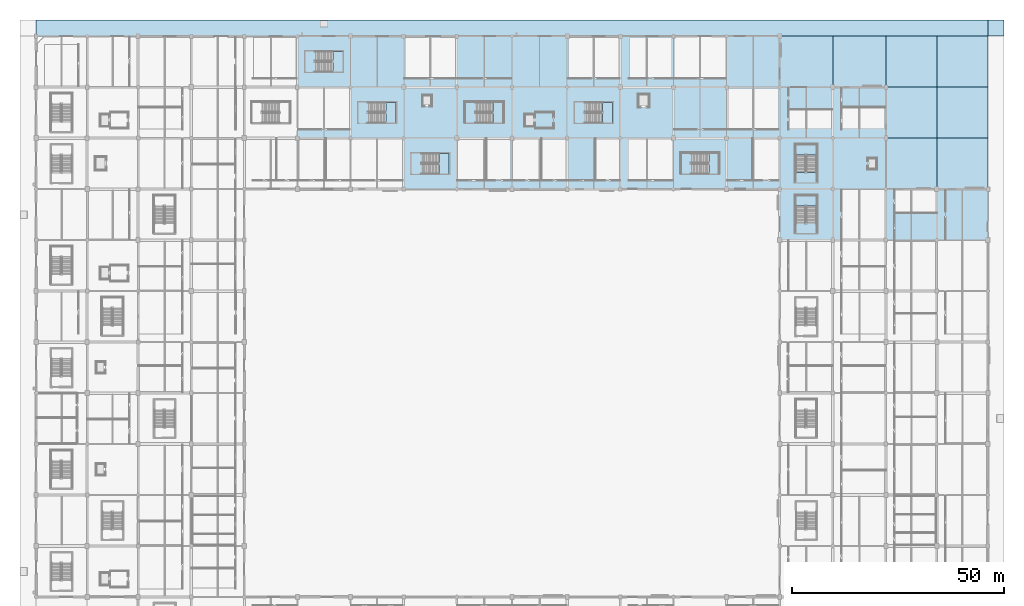
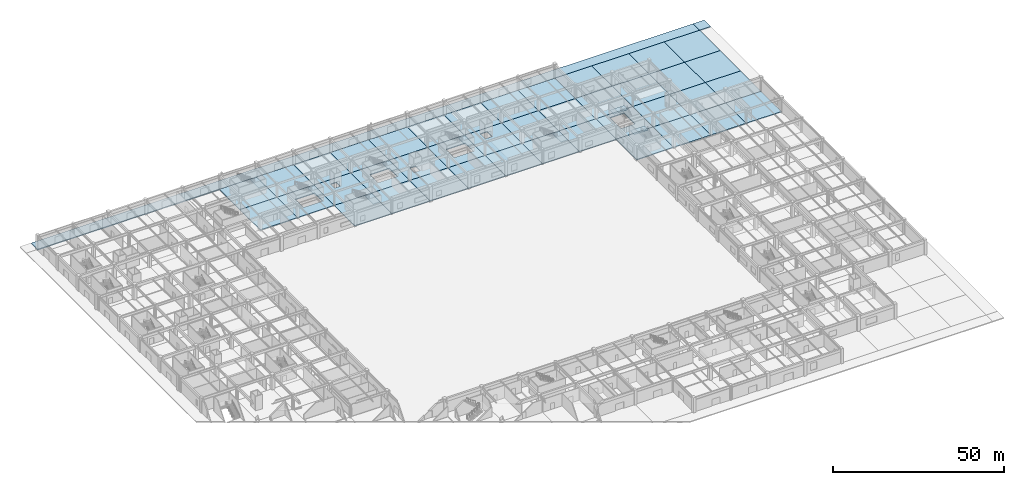
# One storey, part 11 of 69: 51 slabs, 8 elements without a shape of their own.
"""IFC4 building model written with IfcOpenShell, lengths in metres."""

from ifc_helpers import new_model, si_unit, direction, frame, origin, place, context, subcontext, project, spatial, polyline, outline, extrude, material, layer, layer_set, type_object, element, aggregate, save


model = new_model("IFC4")

# Units and contexts
model_context = context("Model", 3, precision=1e-05, world=origin(), true_north=direction((0.0, 1.0)))
body_context = subcontext(model_context, "Body", "Model", "MODEL_VIEW")
ifc_project = project(units=[si_unit("LENGTHUNIT", "METRE"), si_unit("AREAUNIT", "SQUARE_METRE"), si_unit("VOLUMEUNIT", "CUBIC_METRE"), si_unit("PLANEANGLEUNIT", "RADIAN"), si_unit("MASSUNIT", "GRAM", prefix="KILO")], contexts=[model_context])

# Site, building, storey
site_placement = place(None, origin())
site = spatial("IfcSite", under=ifc_project, at=site_placement, CompositionType="ELEMENT")
building_placement = place(site_placement, origin())
building = spatial("IfcBuilding", under=site, at=building_placement, Name="Kazenohara Klinker Stadium", CompositionType="ELEMENT")
storey_placement = place(building_placement, origin())
storey = spatial("IfcBuildingStorey", under=building, at=storey_placement, Name="L00", CompositionType="ELEMENT", Elevation=0.0)

# Slabs
ifc_material = material(Name="Concrete C40/50", Category="concrete")
ifc_layer_1 = layer(ifc_material, 0.340087890625)
ifc_layer_set_1 = layer_set([ifc_layer_1], Name="Concrete C40/50")
slab_type_1 = type_object("IfcSlabType", Name="SLB-APR-340", PredefinedType="FLOOR", material=ifc_layer_set_1)
slab_1_placement = place(storey_placement, frame((0.0, 0.0, -0.340087890625)))
element("IfcSlab", 1, at=slab_1_placement, inside=storey, type_object=slab_type_1, Name="Exterior arrival forecourt paving slab AP01 15/P", PredefinedType="FLOOR", context=body_context, shape_type="SweptSolid", body=[
    extrude(outline(polyline([(175.0, 156.0), (187.5, 156.0), (187.5, 168.0), (175.0, 168.0), (175.0, 156.0)])), origin(), (0.0, 0.0, 1.0), 0.340087890625),
])
slab_2_placement = place(storey_placement, frame((0.0, 0.0, -0.340087890625)))
element("IfcSlab", 2, at=slab_2_placement, inside=storey, type_object=slab_type_1, Name="Exterior arrival forecourt paving slab AP01 16/P", PredefinedType="FLOOR", context=body_context, shape_type="SweptSolid", body=[
    extrude(outline(polyline([(187.5, 156.0), (200.0, 156.0), (200.0, 168.0), (187.5, 168.0), (187.5, 156.0)])), origin(), (0.0, 0.0, 1.0), 0.340087890625),
])
slab_3_placement = place(storey_placement, frame((0.0, 0.0, -0.340087890625)))
element("IfcSlab", 3, at=slab_3_placement, inside=storey, type_object=slab_type_1, Name="Exterior arrival forecourt paving slab AP01 17/M", PredefinedType="FLOOR", context=body_context, shape_type="SweptSolid", body=[
    extrude(outline(polyline([(200.0, 132.0), (212.0, 132.0), (212.0, 144.0), (200.0, 144.0), (200.0, 132.0)])), origin(), (0.0, 0.0, 1.0), 0.340087890625),
])
slab_4_placement = place(storey_placement, frame((0.0, 0.0, -0.340087890625)))
element("IfcSlab", 4, at=slab_4_placement, inside=storey, type_object=slab_type_1, Name="Exterior arrival forecourt paving slab AP01 17/N", PredefinedType="FLOOR", context=body_context, shape_type="SweptSolid", body=[
    extrude(outline(polyline([(200.0, 144.0), (212.0, 144.0), (212.0, 156.0), (200.0, 156.0), (200.0, 144.0)])), origin(), (0.0, 0.0, 1.0), 0.340087890625),
])
slab_5_placement = place(storey_placement, frame((0.0, 0.0, -0.340087890625)))
element("IfcSlab", 5, at=slab_5_placement, inside=storey, type_object=slab_type_1, Name="Exterior arrival forecourt paving slab AP01 17/P", PredefinedType="FLOOR", context=body_context, shape_type="SweptSolid", body=[
    extrude(outline(polyline([(200.0, 156.0), (212.0, 156.0), (212.0, 168.0), (200.0, 168.0), (200.0, 156.0)])), origin(), (0.0, 0.0, 1.0), 0.340087890625),
])
slab_6_placement = place(storey_placement, frame((0.0, 0.0, -0.340087890625)))
element("IfcSlab", 6, at=slab_6_placement, inside=storey, type_object=slab_type_1, Name="Exterior arrival forecourt paving slab AP01 18/M", PredefinedType="FLOOR", context=body_context, shape_type="SweptSolid", body=[
    extrude(outline(polyline([(212.0, 132.0), (224.0, 132.0), (224.0, 144.0), (212.0, 144.0), (212.0, 132.0)])), origin(), (0.0, 0.0, 1.0), 0.340087890625),
])
slab_7_placement = place(storey_placement, frame((0.0, 0.0, -0.340087890625)))
element("IfcSlab", 7, at=slab_7_placement, inside=storey, type_object=slab_type_1, Name="Exterior arrival forecourt paving slab AP01 18/N", PredefinedType="FLOOR", context=body_context, shape_type="SweptSolid", body=[
    extrude(outline(polyline([(212.0, 144.0), (224.0, 144.0), (224.0, 156.0), (212.0, 156.0), (212.0, 144.0)])), origin(), (0.0, 0.0, 1.0), 0.340087890625),
])
slab_8_placement = place(storey_placement, frame((0.0, 0.0, -0.340087890625)))
element("IfcSlab", 8, at=slab_8_placement, inside=storey, type_object=slab_type_1, Name="Exterior arrival forecourt paving slab AP01 18/P", PredefinedType="FLOOR", context=body_context, shape_type="SweptSolid", body=[
    extrude(outline(polyline([(212.0, 156.0), (224.0, 156.0), (224.0, 168.0), (212.0, 168.0), (212.0, 156.0)])), origin(), (0.0, 0.0, 1.0), 0.340087890625),
])
slab_9_placement = place(storey_placement, frame((0.0, 0.0, -0.340087890625)))
element("IfcSlab", 9, at=slab_9_placement, inside=storey, type_object=slab_type_1, Name="Exterior plaza and pitch slab PLAZA-NORTH", PredefinedType="FLOOR", context=body_context, shape_type="SweptSolid", body=[
    extrude(outline(polyline([(0.0, 168.0), (224.0, 168.0), (224.0, 171.800048828125), (0.0, 171.800048828125), (0.0, 168.0)])), origin(), (0.0, 0.0, 1.0), 0.340087890625),
])
slab_10_placement = place(storey_placement, frame((0.0, 0.0, -0.340087890625)))
element("IfcSlab", 10, at=slab_10_placement, inside=storey, type_object=slab_type_1, Name="Exterior plaza and pitch slab PLAZA-CRN-NE", PredefinedType="FLOOR", context=body_context, shape_type="SweptSolid", body=[
    extrude(outline(polyline([(224.0, 168.0), (227.800048828125, 168.0), (227.800048828125, 171.800048828125), (224.0, 171.800048828125), (224.0, 168.0)])), origin(), (0.0, 0.0, 1.0), 0.340087890625),
])
ifc_layer_2 = layer(ifc_material, 0.300048828125)
ifc_layer_set_2 = layer_set([ifc_layer_2], Name="Concrete C40/50")
slab_type_2 = type_object("IfcSlabType", Name="SLB-FLR-300", PredefinedType="FLOOR", material=ifc_layer_set_2)
slab_11_placement = place(storey_placement, frame((0.0, 0.0, -0.300048828125)))
element("IfcSlab", 11, at=slab_11_placement, inside=storey, type_object=slab_type_2, Name="Floor slab FS01 L00 6/N", PredefinedType="FLOOR", context=body_context, shape_type="SweptSolid", body=[
    extrude(outline(polyline([(61.5, 144.0), (74.0, 144.0), (74.0, 156.0), (61.5, 156.0), (61.5, 144.0)])), origin(), (0.0, 0.0, 1.0), 0.300048828125),
])
slab_12_placement = place(storey_placement, frame((0.0, 0.0, -0.300048828125)))
element("IfcSlab", 12, at=slab_12_placement, inside=storey, type_object=slab_type_2, Name="Floor slab FS01 L00 6/P", PredefinedType="FLOOR", context=body_context, shape_type="SweptSolid", body=[
    extrude(outline(polyline([(61.5, 156.0), (74.0, 156.0), (74.0, 168.0), (61.5, 168.0), (61.5, 156.0)])), origin(), (0.0, 0.0, 1.0), 0.300048828125),
])
slab_13_placement = place(storey_placement, frame((0.0, 0.0, -0.300048828125)))
element("IfcSlab", 13, at=slab_13_placement, inside=storey, type_object=slab_type_2, Name="Floor slab FS01 L00 7/N", PredefinedType="FLOOR", context=body_context, shape_type="SweptSolid", body=[
    extrude(outline(polyline([(74.0, 144.0), (86.5, 144.0), (86.5, 156.0), (74.0, 156.0), (74.0, 144.0)]), holes=[polyline([(78.169921875, 147.60009765625), (84.7099609375, 147.60009765625), (84.7099609375, 152.39990234375), (78.169921875, 152.39990234375), (78.169921875, 147.60009765625)])]), origin(), (0.0, 0.0, 1.0), 0.300048828125),
])
slab_14_placement = place(storey_placement, frame((0.0, 0.0, -0.300048828125)))
element("IfcSlab", 14, at=slab_14_placement, inside=storey, type_object=slab_type_2, Name="Floor slab FS01 L00 7/P", PredefinedType="FLOOR", context=body_context, shape_type="SweptSolid", body=[
    extrude(outline(polyline([(74.0, 156.0), (86.5, 156.0), (86.5, 168.0), (74.0, 168.0), (74.0, 156.0)])), origin(), (0.0, 0.0, 1.0), 0.300048828125),
])
slab_15_placement = place(storey_placement, frame((0.0, 0.0, -0.300048828125)))
element("IfcSlab", 15, at=slab_15_placement, inside=storey, type_object=slab_type_2, Name="Floor slab FS01 L00 8/M", PredefinedType="FLOOR", context=body_context, shape_type="SweptSolid", body=[
    extrude(outline(polyline([(86.5, 132.0), (99.0, 132.0), (99.0, 144.0), (86.5, 144.0), (86.5, 132.0)])), origin(), (0.0, 0.0, 1.0), 0.300048828125),
])
slab_16_placement = place(storey_placement, frame((0.0, 0.0, -0.300048828125)))
element("IfcSlab", 16, at=slab_16_placement, inside=storey, type_object=slab_type_2, Name="Floor slab FS01 L00 8/N", PredefinedType="FLOOR", context=body_context, shape_type="SweptSolid", body=[
    extrude(outline(polyline([(86.5, 144.0), (99.0, 144.0), (99.0, 156.0), (86.5, 156.0), (86.5, 144.0)]), holes=[polyline([(91.050048828125, 151.60009765625), (92.949951171875, 151.60009765625), (92.949951171875, 154.0), (91.050048828125, 154.0), (91.050048828125, 151.60009765625)])]), origin(), (0.0, 0.0, 1.0), 0.300048828125),
])
slab_17_placement = place(storey_placement, frame((0.0, 0.0, -0.300048828125)))
element("IfcSlab", 17, at=slab_17_placement, inside=storey, type_object=slab_type_2, Name="Floor slab FS01 L00 8/P", PredefinedType="FLOOR", context=body_context, shape_type="SweptSolid", body=[
    extrude(outline(polyline([(86.5, 156.0), (99.0, 156.0), (99.0, 168.0), (86.5, 168.0), (86.5, 156.0)])), origin(), (0.0, 0.0, 1.0), 0.300048828125),
])
slab_18_placement = place(storey_placement, frame((0.0, 0.0, -0.300048828125)))
element("IfcSlab", 18, at=slab_18_placement, inside=storey, type_object=slab_type_2, Name="Floor slab FS01 L00 9/M", PredefinedType="FLOOR", context=body_context, shape_type="SweptSolid", body=[
    extrude(outline(polyline([(99.0, 132.0), (112.0, 132.0), (112.0, 144.0), (99.0, 144.0), (99.0, 132.0)])), origin(), (0.0, 0.0, 1.0), 0.300048828125),
])
slab_19_placement = place(storey_placement, frame((0.0, 0.0, -0.300048828125)))
element("IfcSlab", 19, at=slab_19_placement, inside=storey, type_object=slab_type_2, Name="Floor slab FS01 L00 9/N", PredefinedType="FLOOR", context=body_context, shape_type="SweptSolid", body=[
    extrude(outline(polyline([(99.0, 144.0), (112.0, 144.0), (112.0, 156.0), (99.0, 156.0), (99.0, 144.0)]), holes=[polyline([(103.429931640625, 147.590087890625), (109.9599609375, 147.590087890625), (109.9599609375, 152.409912109375), (103.429931640625, 152.409912109375), (103.429931640625, 147.590087890625)])]), origin(), (0.0, 0.0, 1.0), 0.300048828125),
])
slab_20_placement = place(storey_placement, frame((0.0, 0.0, -0.300048828125)))
element("IfcSlab", 20, at=slab_20_placement, inside=storey, type_object=slab_type_2, Name="Floor slab FS01 L00 9/P", PredefinedType="FLOOR", context=body_context, shape_type="SweptSolid", body=[
    extrude(outline(polyline([(99.0, 156.0), (112.0, 156.0), (112.0, 168.0), (99.0, 168.0), (99.0, 156.0)])), origin(), (0.0, 0.0, 1.0), 0.300048828125),
])
slab_21_placement = place(storey_placement, frame((0.0, 0.0, -0.300048828125)))
element("IfcSlab", 21, at=slab_21_placement, inside=storey, type_object=slab_type_2, Name="Floor slab FS01 L00 10/M", PredefinedType="FLOOR", context=body_context, shape_type="SweptSolid", body=[
    extrude(outline(polyline([(112.0, 132.0), (125.0, 132.0), (125.0, 144.0), (112.0, 144.0), (112.0, 132.0)])), origin(), (0.0, 0.0, 1.0), 0.300048828125),
])
slab_22_placement = place(storey_placement, frame((0.0, 0.0, -0.300048828125)))
element("IfcSlab", 22, at=slab_22_placement, inside=storey, type_object=slab_type_2, Name="Floor slab FS01 L00 10/N", PredefinedType="FLOOR", context=body_context, shape_type="SweptSolid", body=[
    extrude(outline(polyline([(112.0, 144.0), (125.0, 144.0), (125.0, 156.0), (112.0, 156.0), (112.0, 144.0)]), holes=[polyline([(115.14990234375, 146.85009765625), (117.25, 146.85009765625), (117.25, 149.550048828125), (115.14990234375, 149.550048828125), (115.14990234375, 146.85009765625)])]), origin(), (0.0, 0.0, 1.0), 0.300048828125),
])
slab_23_placement = place(storey_placement, frame((0.0, 0.0, -0.300048828125)))
element("IfcSlab", 23, at=slab_23_placement, inside=storey, type_object=slab_type_2, Name="Floor slab FS01 L00 10/P", PredefinedType="FLOOR", context=body_context, shape_type="SweptSolid", body=[
    extrude(outline(polyline([(112.0, 156.0), (125.0, 156.0), (125.0, 168.0), (112.0, 168.0), (112.0, 156.0)])), origin(), (0.0, 0.0, 1.0), 0.300048828125),
])
slab_24_placement = place(storey_placement, frame((0.0, 0.0, -0.300048828125)))
element("IfcSlab", 24, at=slab_24_placement, inside=storey, type_object=slab_type_2, Name="Floor slab FS01 L00 11/M", PredefinedType="FLOOR", context=body_context, shape_type="SweptSolid", body=[
    extrude(outline(polyline([(125.0, 132.0), (137.5, 132.0), (137.5, 144.0), (125.0, 144.0), (125.0, 132.0)])), origin(), (0.0, 0.0, 1.0), 0.300048828125),
])
slab_25_placement = place(storey_placement, frame((0.0, 0.0, -0.300048828125)))
element("IfcSlab", 25, at=slab_25_placement, inside=storey, type_object=slab_type_2, Name="Floor slab FS01 L00 11/N", PredefinedType="FLOOR", context=body_context, shape_type="SweptSolid", body=[
    extrude(outline(polyline([(125.0, 144.0), (137.5, 144.0), (137.5, 156.0), (125.0, 156.0), (125.0, 144.0)]), holes=[polyline([(129.199951171875, 147.570068359375), (135.7099609375, 147.570068359375), (135.7099609375, 152.429931640625), (129.199951171875, 152.429931640625), (129.199951171875, 147.570068359375)])]), origin(), (0.0, 0.0, 1.0), 0.300048828125),
])
slab_26_placement = place(storey_placement, frame((0.0, 0.0, -0.300048828125)))
element("IfcSlab", 26, at=slab_26_placement, inside=storey, type_object=slab_type_2, Name="Floor slab FS01 L00 11/P", PredefinedType="FLOOR", context=body_context, shape_type="SweptSolid", body=[
    extrude(outline(polyline([(125.0, 156.0), (137.5, 156.0), (137.5, 168.0), (125.0, 168.0), (125.0, 156.0)])), origin(), (0.0, 0.0, 1.0), 0.300048828125),
])
slab_27_placement = place(storey_placement, frame((0.0, 0.0, -0.300048828125)))
element("IfcSlab", 27, at=slab_27_placement, inside=storey, type_object=slab_type_2, Name="Floor slab FS01 L00 12/M", PredefinedType="FLOOR", context=body_context, shape_type="SweptSolid", body=[
    extrude(outline(polyline([(137.5, 132.0), (150.0, 132.0), (150.0, 144.0), (137.5, 144.0), (137.5, 132.0)])), origin(), (0.0, 0.0, 1.0), 0.300048828125),
])
slab_28_placement = place(storey_placement, frame((0.0, 0.0, -0.300048828125)))
element("IfcSlab", 28, at=slab_28_placement, inside=storey, type_object=slab_type_2, Name="Floor slab FS01 L00 12/N", PredefinedType="FLOOR", context=body_context, shape_type="SweptSolid", body=[
    extrude(outline(polyline([(137.5, 144.0), (150.0, 144.0), (150.0, 156.0), (137.5, 156.0), (137.5, 144.0)]), holes=[polyline([(141.85009765625, 151.35009765625), (144.14990234375, 151.35009765625), (144.14990234375, 154.25), (141.85009765625, 154.25), (141.85009765625, 151.35009765625)])]), origin(), (0.0, 0.0, 1.0), 0.300048828125),
])
slab_29_placement = place(storey_placement, frame((0.0, 0.0, -0.300048828125)))
element("IfcSlab", 29, at=slab_29_placement, inside=storey, type_object=slab_type_2, Name="Floor slab FS01 L00 12/P", PredefinedType="FLOOR", context=body_context, shape_type="SweptSolid", body=[
    extrude(outline(polyline([(137.5, 156.0), (150.0, 156.0), (150.0, 168.0), (137.5, 168.0), (137.5, 156.0)])), origin(), (0.0, 0.0, 1.0), 0.300048828125),
])
slab_30_placement = place(storey_placement, frame((0.0, 0.0, -0.300048828125)))
element("IfcSlab", 30, at=slab_30_placement, inside=storey, type_object=slab_type_2, Name="Floor slab FS01 L00 13/M", PredefinedType="FLOOR", context=body_context, shape_type="SweptSolid", body=[
    extrude(outline(polyline([(150.0, 132.0), (162.5, 132.0), (162.5, 144.0), (150.0, 144.0), (150.0, 132.0)])), origin(), (0.0, 0.0, 1.0), 0.300048828125),
])
slab_31_placement = place(storey_placement, frame((0.0, 0.0, -0.300048828125)))
element("IfcSlab", 31, at=slab_31_placement, inside=storey, type_object=slab_type_2, Name="Floor slab FS01 L00 13/N", PredefinedType="FLOOR", context=body_context, shape_type="SweptSolid", body=[
    extrude(outline(polyline([(150.0, 144.0), (162.5, 144.0), (162.5, 156.0), (150.0, 156.0), (150.0, 144.0)])), origin(), (0.0, 0.0, 1.0), 0.300048828125),
])
slab_32_placement = place(storey_placement, frame((0.0, 0.0, -0.300048828125)))
element("IfcSlab", 32, at=slab_32_placement, inside=storey, type_object=slab_type_2, Name="Floor slab FS01 L00 13/P", PredefinedType="FLOOR", context=body_context, shape_type="SweptSolid", body=[
    extrude(outline(polyline([(150.0, 156.0), (162.5, 156.0), (162.5, 168.0), (150.0, 168.0), (150.0, 156.0)])), origin(), (0.0, 0.0, 1.0), 0.300048828125),
])
slab_33_placement = place(storey_placement, frame((0.0, 0.0, -0.300048828125)))
element("IfcSlab", 33, at=slab_33_placement, inside=storey, type_object=slab_type_2, Name="Floor slab FS01 L00 14/M", PredefinedType="FLOOR", context=body_context, shape_type="SweptSolid", body=[
    extrude(outline(polyline([(162.5, 132.0), (175.0, 132.0), (175.0, 144.0), (162.5, 144.0), (162.5, 132.0)])), origin(), (0.0, 0.0, 1.0), 0.300048828125),
])
slab_34_placement = place(storey_placement, frame((0.0, 0.0, -0.300048828125)))
element("IfcSlab", 34, at=slab_34_placement, inside=storey, type_object=slab_type_2, Name="Floor slab FS01 L00 14/N", PredefinedType="FLOOR", context=body_context, shape_type="SweptSolid", body=[
    extrude(outline(polyline([(162.5, 144.0), (175.0, 144.0), (175.0, 156.0), (162.5, 156.0), (162.5, 144.0)])), origin(), (0.0, 0.0, 1.0), 0.300048828125),
])
slab_35_placement = place(storey_placement, frame((0.0, 0.0, -0.300048828125)))
element("IfcSlab", 35, at=slab_35_placement, inside=storey, type_object=slab_type_2, Name="Floor slab FS01 L00 14/P", PredefinedType="FLOOR", context=body_context, shape_type="SweptSolid", body=[
    extrude(outline(polyline([(162.5, 156.0), (175.0, 156.0), (175.0, 168.0), (162.5, 168.0), (162.5, 156.0)])), origin(), (0.0, 0.0, 1.0), 0.300048828125),
])
slab_36_placement = place(storey_placement, frame((0.0, 0.0, -0.300048828125)))
element("IfcSlab", 36, at=slab_36_placement, inside=storey, type_object=slab_type_2, Name="Floor slab FS01 L00 15/L", PredefinedType="FLOOR", context=body_context, shape_type="SweptSolid", body=[
    extrude(outline(polyline([(175.0, 120.0), (187.5, 120.0), (187.5, 132.0), (175.0, 132.0), (175.0, 120.0)])), origin(), (0.0, 0.0, 1.0), 0.300048828125),
])
slab_37_placement = place(storey_placement, frame((0.0, 0.0, -0.300048828125)))
element("IfcSlab", 37, at=slab_37_placement, inside=storey, type_object=slab_type_2, Name="Floor slab FS01 L00 15/M", PredefinedType="FLOOR", context=body_context, shape_type="SweptSolid", body=[
    extrude(outline(polyline([(175.0, 132.0), (187.5, 132.0), (187.5, 144.0), (175.0, 144.0), (175.0, 132.0)]), holes=[polyline([(183.68994140625, 135.9599609375), (183.68994140625, 142.4599609375), (178.81005859375, 142.4599609375), (178.81005859375, 135.9599609375), (183.68994140625, 135.9599609375)])]), origin(), (0.0, 0.0, 1.0), 0.300048828125),
])
slab_38_placement = place(storey_placement, frame((0.0, 0.0, -0.300048828125)))
element("IfcSlab", 38, at=slab_38_placement, inside=storey, type_object=slab_type_2, Name="Floor slab FS01 L00 15/N", PredefinedType="FLOOR", context=body_context, shape_type="SweptSolid", body=[
    extrude(outline(polyline([(175.0, 144.0), (187.5, 144.0), (187.5, 156.0), (175.0, 156.0), (175.0, 144.0)])), origin(), (0.0, 0.0, 1.0), 0.300048828125),
])
slab_39_placement = place(storey_placement, frame((0.0, 0.0, -0.300048828125)))
element("IfcSlab", 39, at=slab_39_placement, inside=storey, type_object=slab_type_2, Name="Floor slab FS01 L00 16/L", PredefinedType="FLOOR", context=body_context, shape_type="SweptSolid", body=[
    extrude(outline(polyline([(187.5, 120.0), (200.0, 120.0), (200.0, 132.0), (187.5, 132.0), (187.5, 120.0)])), origin(), (0.0, 0.0, 1.0), 0.300048828125),
])
slab_40_placement = place(storey_placement, frame((0.0, 0.0, -0.300048828125)))
element("IfcSlab", 40, at=slab_40_placement, inside=storey, type_object=slab_type_2, Name="Floor slab FS01 L00 16/M", PredefinedType="FLOOR", context=body_context, shape_type="SweptSolid", body=[
    extrude(outline(polyline([(187.5, 132.0), (200.0, 132.0), (200.0, 144.0), (187.5, 144.0), (187.5, 132.0)])), origin(), (0.0, 0.0, 1.0), 0.300048828125),
])
slab_41_placement = place(storey_placement, frame((0.0, 0.0, -0.300048828125)))
element("IfcSlab", 41, at=slab_41_placement, inside=storey, type_object=slab_type_2, Name="Floor slab FS01 L00 16/N", PredefinedType="FLOOR", context=body_context, shape_type="SweptSolid", body=[
    extrude(outline(polyline([(187.5, 144.0), (200.0, 144.0), (200.0, 156.0), (187.5, 156.0), (187.5, 144.0)])), origin(), (0.0, 0.0, 1.0), 0.300048828125),
])
slab_42_placement = place(storey_placement, frame((0.0, 0.0, -0.300048828125)))
element("IfcSlab", 42, at=slab_42_placement, inside=storey, type_object=slab_type_2, Name="Floor slab FS01 L00 17/L", PredefinedType="FLOOR", context=body_context, shape_type="SweptSolid", body=[
    extrude(outline(polyline([(200.0, 120.0), (212.0, 120.0), (212.0, 132.0), (200.0, 132.0), (200.0, 120.0)])), origin(), (0.0, 0.0, 1.0), 0.300048828125),
])
slab_43_placement = place(storey_placement, frame((0.0, 0.0, -0.300048828125)))
element("IfcSlab", 43, at=slab_43_placement, inside=storey, type_object=slab_type_2, Name="Floor slab FS01 L00 18/L", PredefinedType="FLOOR", context=body_context, shape_type="SweptSolid", body=[
    extrude(outline(polyline([(212.0, 120.0), (224.0, 120.0), (224.0, 132.0), (212.0, 132.0), (212.0, 120.0)])), origin(), (0.0, 0.0, 1.0), 0.300048828125),
])

# Stair, slab
stair_type_1 = type_object("IfcStairType", Name="STR-DL-2300", PredefinedType="HALF_TURN_STAIR", material=ifc_material)
stair_1_placement = place(storey_placement, origin())
stair_1 = element("IfcStair", 44, at=stair_1_placement, inside=storey, type_object=stair_type_1, Name="L00 Enclosed escape stair ST09", PredefinedType="HALF_TURN_STAIR")
ifc_layer_3 = layer(ifc_material, 0.199951171875)
ifc_layer_set_3 = layer_set([ifc_layer_3], Name="Concrete C40/50")
slab_type_3 = type_object("IfcSlabType", Name="SLB-LND-200", PredefinedType="LANDING", material=ifc_layer_set_3)
slab_44_placement = place(storey_placement, frame((0.0, 0.0, 2.5)))
slab_44 = element("IfcSlab", 45, at=slab_44_placement, type_object=slab_type_3, Name="ST09 landing 1", PredefinedType="LANDING", context=body_context, shape_type="SweptSolid", body=[
    extrude(outline(polyline([(82.2900390625, 147.60009765625), (84.7099609375, 147.60009765625), (84.7099609375, 152.39990234375), (82.2900390625, 152.39990234375), (82.2900390625, 147.60009765625)])), origin(), (0.0, 0.0, 1.0), 0.199951171875),
])
aggregate(stair_1, [slab_44])

stair_type_2 = type_object("IfcStairType", Name="STR-DL-2310", PredefinedType="HALF_TURN_STAIR", material=ifc_material)
stair_2_placement = place(storey_placement, origin())
stair_2 = element("IfcStair", 46, at=stair_2_placement, inside=storey, type_object=stair_type_2, Name="L00 Enclosed escape stair ST10", PredefinedType="HALF_TURN_STAIR")
slab_45_placement = place(storey_placement, frame((0.0, 0.0, 2.5)))
slab_45 = element("IfcSlab", 47, at=slab_45_placement, type_object=slab_type_3, Name="ST10 landing 1", PredefinedType="LANDING", context=body_context, shape_type="SweptSolid", body=[
    extrude(outline(polyline([(107.550048828125, 147.590087890625), (109.9599609375, 147.590087890625), (109.9599609375, 152.409912109375), (107.550048828125, 152.409912109375), (107.550048828125, 147.590087890625)])), origin(), (0.0, 0.0, 1.0), 0.199951171875),
])
aggregate(stair_2, [slab_45])

stair_type_3 = type_object("IfcStairType", Name="STR-DL-2330", PredefinedType="HALF_TURN_STAIR", material=ifc_material)
stair_3_placement = place(storey_placement, origin())
stair_3 = element("IfcStair", 48, at=stair_3_placement, inside=storey, type_object=stair_type_3, Name="L00 Enclosed escape stair ST11", PredefinedType="HALF_TURN_STAIR")
slab_46_placement = place(storey_placement, frame((0.0, 0.0, 2.5)))
slab_46 = element("IfcSlab", 49, at=slab_46_placement, type_object=slab_type_3, Name="ST11 landing 1", PredefinedType="LANDING", context=body_context, shape_type="SweptSolid", body=[
    extrude(outline(polyline([(133.320068359375, 147.570068359375), (135.7099609375, 147.570068359375), (135.7099609375, 152.429931640625), (133.320068359375, 152.429931640625), (133.320068359375, 147.570068359375)])), origin(), (0.0, 0.0, 1.0), 0.199951171875),
])
aggregate(stair_3, [slab_46])

stair_type_4 = type_object("IfcStairType", Name="STR-DL-2340", PredefinedType="HALF_TURN_STAIR", material=ifc_material)
stair_4_placement = place(storey_placement, origin())
stair_4 = element("IfcStair", 50, at=stair_4_placement, inside=storey, type_object=stair_type_4, Name="L00 Enclosed escape stair ST12", PredefinedType="HALF_TURN_STAIR")
slab_47_placement = place(storey_placement, frame((0.0, 0.0, 2.5)))
slab_47 = element("IfcSlab", 51, at=slab_47_placement, type_object=slab_type_3, Name="ST12 landing 1", PredefinedType="LANDING", context=body_context, shape_type="SweptSolid", body=[
    extrude(outline(polyline([(183.68994140625, 140.080078125), (183.68994140625, 142.4599609375), (178.81005859375, 142.4599609375), (178.81005859375, 140.080078125), (183.68994140625, 140.080078125)])), origin(), (0.0, 0.0, 1.0), 0.199951171875),
])
aggregate(stair_4, [slab_47])

stair_5_placement = place(storey_placement, origin())
stair_5 = element("IfcStair", 52, at=stair_5_placement, inside=storey, type_object=stair_type_3, Name="L00 Enclosed escape stair ST15", PredefinedType="HALF_TURN_STAIR")
slab_48_placement = place(storey_placement, frame((0.0, 0.0, 2.5)))
slab_48 = element("IfcSlab", 53, at=slab_48_placement, type_object=slab_type_3, Name="ST15 landing 1", PredefinedType="LANDING", context=body_context, shape_type="SweptSolid", body=[
    extrude(outline(polyline([(69.820068359375, 159.570068359375), (72.2099609375, 159.570068359375), (72.2099609375, 164.429931640625), (69.820068359375, 164.429931640625), (69.820068359375, 159.570068359375)])), origin(), (0.0, 0.0, 1.0), 0.199951171875),
])
aggregate(stair_5, [slab_48])

stair_6_placement = place(storey_placement, origin())
stair_6 = element("IfcStair", 54, at=stair_6_placement, inside=storey, type_object=stair_type_3, Name="L00 Enclosed escape stair ST19", PredefinedType="HALF_TURN_STAIR")
slab_49_placement = place(storey_placement, frame((0.0, 0.0, 2.5)))
slab_49 = element("IfcSlab", 55, at=slab_49_placement, type_object=slab_type_3, Name="ST19 landing 1", PredefinedType="LANDING", context=body_context, shape_type="SweptSolid", body=[
    extrude(outline(polyline([(94.820068359375, 135.570068359375), (97.2099609375, 135.570068359375), (97.2099609375, 140.429931640625), (94.820068359375, 140.429931640625), (94.820068359375, 135.570068359375)])), origin(), (0.0, 0.0, 1.0), 0.199951171875),
])
aggregate(stair_6, [slab_49])

stair_7_placement = place(storey_placement, origin())
stair_7 = element("IfcStair", 56, at=stair_7_placement, inside=storey, type_object=stair_type_4, Name="L00 Enclosed escape stair ST20", PredefinedType="HALF_TURN_STAIR")
slab_50_placement = place(storey_placement, frame((0.0, 0.0, 2.5)))
slab_50 = element("IfcSlab", 57, at=slab_50_placement, type_object=slab_type_3, Name="ST20 landing 1", PredefinedType="LANDING", context=body_context, shape_type="SweptSolid", body=[
    extrude(outline(polyline([(158.330078125, 135.56005859375), (160.7099609375, 135.56005859375), (160.7099609375, 140.43994140625), (158.330078125, 140.43994140625), (158.330078125, 135.56005859375)])), origin(), (0.0, 0.0, 1.0), 0.199951171875),
])
aggregate(stair_7, [slab_50])

stair_8_placement = place(storey_placement, origin())
stair_8 = element("IfcStair", 58, at=stair_8_placement, inside=storey, type_object=stair_type_4, Name="L00 Enclosed escape stair ST24", PredefinedType="HALF_TURN_STAIR")
slab_51_placement = place(storey_placement, frame((0.0, 0.0, 2.5)))
slab_51 = element("IfcSlab", 59, at=slab_51_placement, type_object=slab_type_3, Name="ST24 landing 1", PredefinedType="LANDING", context=body_context, shape_type="SweptSolid", body=[
    extrude(outline(polyline([(183.68994140625, 128.080078125), (183.68994140625, 130.4599609375), (178.81005859375, 130.4599609375), (178.81005859375, 128.080078125), (183.68994140625, 128.080078125)])), origin(), (0.0, 0.0, 1.0), 0.199951171875),
])
aggregate(stair_8, [slab_51])

save(model, "model.ifc")
